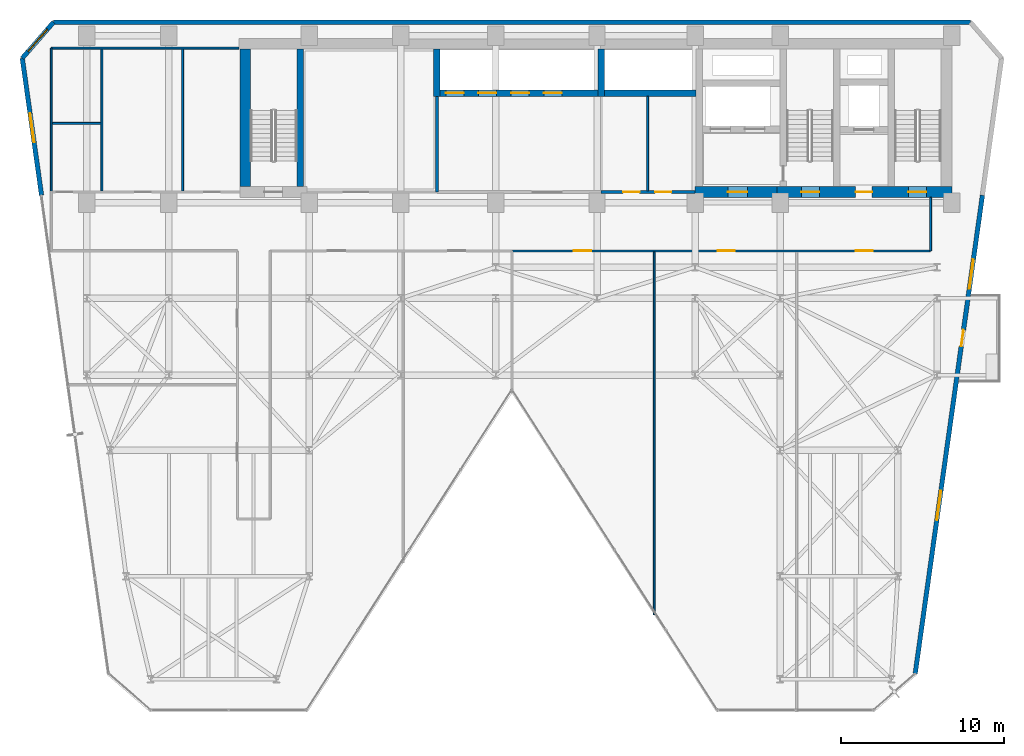
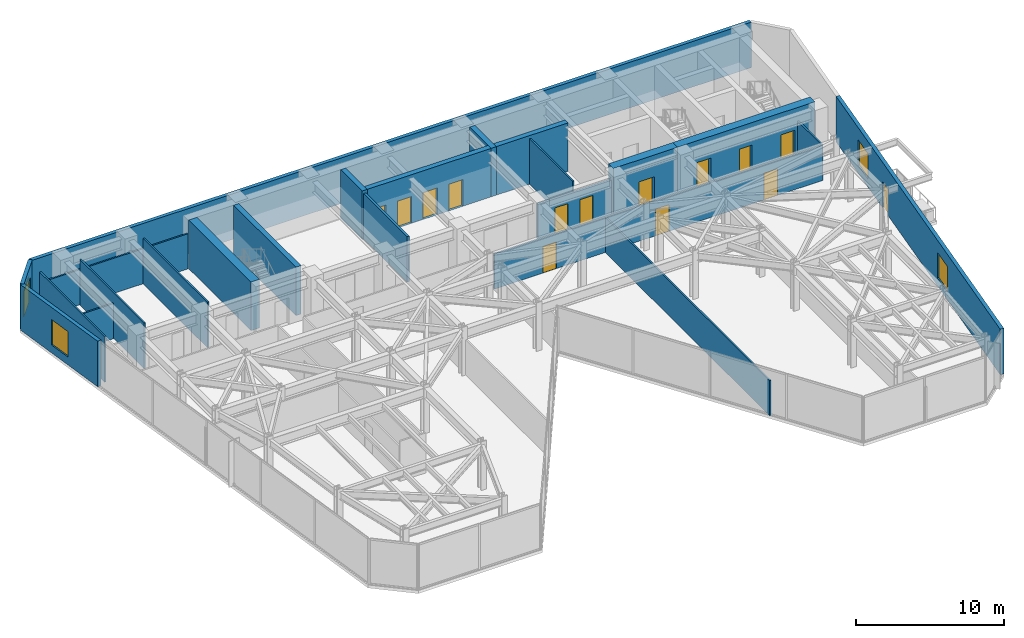
# One storey, part 22 of 26: 23 walls, 14 doors, 4 windows, 18 openings.
"""IFC4 building model written with IfcOpenShell, lengths in metres."""

from ifc_helpers import new_model, si_unit, direction, frame, frame_2d, origin, place, context, subcontext, project, spatial, rectangle, extrude, material, layer, layer_set, type_object, element, fill, save


model = new_model("IFC4")

# Units and contexts
model_context = context("Model", 3, precision=1e-05, world=origin(), true_north=direction((0.0, 1.0)))
body_context = subcontext(model_context, "Body", "Model", "MODEL_VIEW")
ifc_project = project(units=[si_unit("LENGTHUNIT", "METRE"), si_unit("AREAUNIT", "SQUARE_METRE"), si_unit("VOLUMEUNIT", "CUBIC_METRE"), si_unit("PLANEANGLEUNIT", "RADIAN"), si_unit("MASSUNIT", "GRAM", prefix="KILO")], contexts=[model_context])

# Site, building, storey
site_placement = place(None, origin())
site = spatial("IfcSite", under=ifc_project, at=site_placement, CompositionType="ELEMENT")
building_placement = place(site_placement, origin())
building = spatial("IfcBuilding", under=site, at=building_placement, Name="Kravanh Interchange Tower", CompositionType="ELEMENT")
storey_placement = place(building_placement, frame((0.0, 0.0, 116.0)))
storey = spatial("IfcBuildingStorey", under=building, at=storey_placement, Name="L27", CompositionType="ELEMENT", Elevation=116.0)

# Walls
ifc_material_1 = material(Name="Double Acoustic Gypsum Board and Mineral Wool")
ifc_layer_1 = layer(ifc_material_1, 0.1201171875)
ifc_layer_set_1 = layer_set([ifc_layer_1], Name="Acoustic Office Drywall Partition 120mm")
wall_type_1 = type_object("IfcWallType", Name="Acoustic Office Drywall Partition 120mm", PredefinedType="PARTITIONING", material=ifc_layer_set_1)
wall_1_placement = place(storey_placement, frame((47.89990234375, 38.068115234375, 0.0), z_axis=(0.0, 0.0, 1.0), x_axis=(0.0, 1.0, 0.0)))
element("IfcWall", 1, at=wall_1_placement, inside=storey, type_object=wall_type_1, Name="L27 Interior Partition 2", PredefinedType="PARTITIONING", context=body_context, shape_type="SweptSolid", body=[
    extrude(rectangle(XDim=5.77392578125, YDim=0.1201171875, at=frame_2d((2.886962890625, 0.0))), origin(), (0.0, 0.0, 1.0), 3.75),
])
wall_2_placement = place(storey_placement, frame((11.419921875, 38.0, 0.0), z_axis=(0.0, 0.0, 1.0), x_axis=(0.0, 1.0, 0.0)))
element("IfcWall", 2, at=wall_2_placement, inside=storey, type_object=wall_type_1, Name="L27 Restroom West Enclosure 7", PredefinedType="PARTITIONING", context=body_context, shape_type="SweptSolid", body=[
    extrude(rectangle(XDim=8.800048828125, YDim=0.1201171875, at=frame_2d((4.39990234375, 0.0))), origin(), (0.0, 0.0, 1.0), 3.75),
])
wall_3_placement = place(storey_placement, frame((11.419921875, 46.800048828125, 0.0), z_axis=(0.0, 0.0, 1.0), x_axis=(1.0, 0.0, 0.0)))
element("IfcWall", 3, at=wall_3_placement, inside=storey, type_object=wall_type_1, Name="L27 Restroom North Enclosure 8", PredefinedType="PARTITIONING", context=body_context, shape_type="SweptSolid", body=[
    extrude(rectangle(XDim=11.47998046875, YDim=0.1201171875, at=frame_2d((5.739990234375, 0.0))), origin(), (0.0, 0.0, 1.0), 2.89404296875),
])
for number, where, z_axis, x_axis, name in (
    (4, (14.52001953125, 38.068115234375, 0.0), (0.0, 0.0, 1.0), (0.0, 1.0, 0.0), "L27 Interior Partition 9"),
    (5, (19.449951171875, 38.068115234375, 0.0), (0.0, 0.0, 1.0), (0.0, 1.0, 0.0), "L27 Interior Partition 10"),
):
    element("IfcWall", number, at=place(storey_placement, frame(where, z_axis=z_axis, x_axis=x_axis)), inside=storey, type_object=wall_type_1, Name=name, PredefinedType="PARTITIONING", context=body_context, shape_type="SweptSolid", body=[
        extrude(rectangle(XDim=8.663818359375, YDim=0.1201171875, at=frame_2d((4.33203125, 0.0))), origin(), (0.0, 0.0, 1.0), 3.75),
    ])
wall_4_placement = place(storey_placement, frame((11.488037109375, 42.199951171875, 0.0), z_axis=(0.0, 0.0, 1.0), x_axis=(1.0, 0.0, 0.0)))
element("IfcWall", 6, at=wall_4_placement, inside=storey, type_object=wall_type_1, Name="L27 Interior Partition 11", PredefinedType="PARTITIONING", context=body_context, shape_type="SweptSolid", body=[
    extrude(rectangle(XDim=2.9638671875, YDim=0.1201171875, at=frame_2d((1.48193359375, 0.0))), origin(), (0.0, 0.0, 1.0), 2.89404296875),
])

# Wall, openings, doors
wall_5_placement = place(storey_placement, frame((39.60009765625, 34.39990234375, 0.0), z_axis=(0.0, 0.0, 1.0), x_axis=(1.0, 0.0, 0.0)))
wall_5 = element("IfcWall", 7, at=wall_5_placement, inside=storey, type_object=wall_type_1, Name="L27 Interior Partition 14", PredefinedType="PARTITIONING", context=body_context, shape_type="SweptSolid", body=[
    extrude(rectangle(XDim=25.599853515625, YDim=0.1201171875, at=frame_2d((12.7998046875, 0.0))), origin(), (0.0, 0.0, 1.0), 2.89404296875),
])
opening_1_placement = place(wall_5_placement, frame((3.784912109375, 0.0, 0.0)))
opening_1 = element("IfcOpeningElement", 8, at=opening_1_placement, cuts=wall_5, Name="Opening D-105", PredefinedType="OPENING", context=body_context, shape_type="SweptSolid", body=[
    extrude(rectangle(XDim=1.050048828125, YDim=2.199951171875, at=frame_2d((0.52490234375, 1.10009765625))), frame((0.0, 0.070068359375, 0.0), z_axis=(0.0, -1.0, 0.0), x_axis=(1.0, 0.0, 0.0)), (0.0, 0.0, 1.0), 0.14013671875),
])
opening_2_placement = place(wall_5_placement, frame((12.5703125, 0.0, 0.0)))
opening_2 = element("IfcOpeningElement", 9, at=opening_2_placement, cuts=wall_5, Name="Opening D-105", PredefinedType="OPENING", context=body_context, shape_type="SweptSolid", body=[
    extrude(rectangle(XDim=1.050048828125, YDim=2.199951171875, at=frame_2d((0.52490234375, 1.10009765625))), frame((0.0, 0.070068359375, 0.0), z_axis=(0.0, -1.0, 0.0), x_axis=(1.0, 0.0, 0.0)), (0.0, 0.0, 1.0), 0.14013671875),
])
opening_3_placement = place(wall_5_placement, frame((21.02001953125, 0.0, 0.0)))
opening_3 = element("IfcOpeningElement", 10, at=opening_3_placement, cuts=wall_5, Name="Opening D-105", PredefinedType="OPENING", context=body_context, shape_type="SweptSolid", body=[
    extrude(rectangle(XDim=1.050048828125, YDim=2.199951171875, at=frame_2d((0.52490234375, 1.10009765625))), frame((0.0, 0.070068359375, 0.0), z_axis=(0.0, -1.0, 0.0), x_axis=(1.0, 0.0, 0.0)), (0.0, 0.0, 1.0), 0.14013671875),
])
ifc_material_2 = material(Name="Acoustic Glazed Oak and Aluminium", Category="aluminium")
door_type_1 = type_object("IfcDoorType", Name="Office Workplace Door 1050x2200", OperationType="NOTDEFINED", PredefinedType="DOOR", material=ifc_material_2)
door_1_placement = place(opening_1_placement, origin())
door_1 = element("IfcDoor", 11, at=door_1_placement, inside=storey, type_object=door_type_1, Name="L27 Panorama Sky Lounge Door", OperationType="SINGLE_SWING_LEFT", OverallHeight=2.199951171875, OverallWidth=1.050048828125, PredefinedType="DOOR", context=body_context, shape_type="SweptSolid", body=[
    extrude(rectangle(XDim=1.050048828125, YDim=2.199951171875, at=frame_2d((0.52490234375, 1.10009765625))), frame((0.0, 0.02490234375, 0.0), z_axis=(0.0, -1.0, 0.0), x_axis=(1.0, 0.0, 0.0)), (0.0, 0.0, 1.0), 0.050048828125),
])
fill(opening_1, door_1)
door_2_placement = place(opening_2_placement, origin())
door_2 = element("IfcDoor", 12, at=door_2_placement, inside=storey, type_object=door_type_1, Name="L27 East Balcony Office Door", OperationType="SINGLE_SWING_RIGHT", OverallHeight=2.199951171875, OverallWidth=1.050048828125, PredefinedType="DOOR", context=body_context, shape_type="SweptSolid", body=[
    extrude(rectangle(XDim=1.050048828125, YDim=2.199951171875, at=frame_2d((0.52490234375, 1.10009765625))), frame((0.0, 0.02490234375, 0.0), z_axis=(0.0, -1.0, 0.0), x_axis=(1.0, 0.0, 0.0)), (0.0, 0.0, 1.0), 0.050048828125),
])
fill(opening_2, door_2)
door_3_placement = place(opening_3_placement, origin())
door_3 = element("IfcDoor", 13, at=door_3_placement, inside=storey, type_object=door_type_1, Name="L27 Hospitality Salon Lounge Door", OperationType="SINGLE_SWING_LEFT", OverallHeight=2.199951171875, OverallWidth=1.050048828125, PredefinedType="DOOR", context=body_context, shape_type="SweptSolid", body=[
    extrude(rectangle(XDim=1.050048828125, YDim=2.199951171875, at=frame_2d((0.52490234375, 1.10009765625))), frame((0.0, 0.02490234375, 0.0), z_axis=(0.0, -1.0, 0.0), x_axis=(1.0, 0.0, 0.0)), (0.0, 0.0, 1.0), 0.050048828125),
])
fill(opening_3, door_3)

# Walls
wall_6_placement = place(storey_placement, frame((65.199951171875, 34.39990234375, 0.0), z_axis=(0.0, 0.0, 1.0), x_axis=(0.0, 1.0, 0.0)))
element("IfcWall", 14, at=wall_6_placement, inside=storey, type_object=wall_type_1, Name="L27 Interior Partition 16", PredefinedType="PARTITIONING", context=body_context, shape_type="SweptSolid", body=[
    extrude(rectangle(XDim=3.26708984375, YDim=0.1201171875, at=frame_2d((1.633544921875, 0.0))), origin(), (0.0, 0.0, 1.0), 2.89404296875),
])
wall_7_placement = place(storey_placement, frame((48.300048828125, 12.15576171875, 0.0), z_axis=(0.0, 0.0, 1.0), x_axis=(0.0, 1.0, 0.0)))
element("IfcWall", 15, at=wall_7_placement, inside=storey, type_object=wall_type_1, Name="L27 Interior Partition 23", PredefinedType="PARTITIONING", context=body_context, shape_type="SweptSolid", body=[
    extrude(rectangle(XDim=22.17626953125, YDim=0.1201171875, at=frame_2d((11.088134765625, 0.0))), origin(), (0.0, 0.0, 1.0), 2.89404296875),
])

# Wall, openings, doors
ifc_material_3 = material(Name="Concrete C70/85", Category="concrete")
ifc_layer_2 = layer(ifc_material_3, 0.64990234375)
ifc_layer_set_2 = layer_set([ifc_layer_2], Name="Core Shear Wall Concrete C70/85 650mm")
wall_type_2 = type_object("IfcWallType", Name="Core Shear Wall Concrete C70/85 650mm", PredefinedType="SHEAR", material=ifc_layer_set_2)
wall_8_placement = place(storey_placement, frame((55.800048828125, 38.0, 0.0), z_axis=(0.0, 0.0, 1.0), x_axis=(1.0, 0.0, 0.0)))
wall_8 = element("IfcWall", 16, at=wall_8_placement, inside=storey, type_object=wall_type_2, Name="L27 East Core South Shear Wall", PredefinedType="SHEAR", context=body_context, shape_type="SweptSolid", body=[
    extrude(rectangle(XDim=10.699951171875, YDim=0.64990234375, at=frame_2d((5.35009765625, 0.0))), origin(), (0.0, 0.0, 1.0), 4.0),
])
opening_4_placement = place(wall_8_placement, frame((1.5, 0.0, 0.0)))
opening_4 = element("IfcOpeningElement", 17, at=opening_4_placement, cuts=wall_8, Name="Opening D-STAIR-110", PredefinedType="OPENING", context=body_context, shape_type="SweptSolid", body=[
    extrude(rectangle(XDim=1.10009765625, YDim=2.199951171875, at=frame_2d((0.550048828125, 1.10009765625))), frame((0.0, 0.3349609375, 0.0), z_axis=(0.0, -1.0, 0.0), x_axis=(1.0, 0.0, 0.0)), (0.0, 0.0, 1.0), 0.669921875),
])
opening_5_placement = place(wall_8_placement, frame((4.820068359375, 0.0, 0.0)))
opening_5 = element("IfcOpeningElement", 18, at=opening_5_placement, cuts=wall_8, Name="Opening D-HOTEL-100", PredefinedType="OPENING", context=body_context, shape_type="SweptSolid", body=[
    extrude(rectangle(XDim=1.0, YDim=2.14990234375, at=frame_2d((0.5, 1.074951171875))), frame((0.0, 0.3349609375, 0.0), z_axis=(0.0, -1.0, 0.0), x_axis=(1.0, 0.0, 0.0)), (0.0, 0.0, 1.0), 0.669921875),
])
opening_6_placement = place(wall_8_placement, frame((8.050048828125, 0.0, 0.0)))
opening_6 = element("IfcOpeningElement", 19, at=opening_6_placement, cuts=wall_8, Name="Opening D-STAIR-110", PredefinedType="OPENING", context=body_context, shape_type="SweptSolid", body=[
    extrude(rectangle(XDim=1.10009765625, YDim=2.199951171875, at=frame_2d((0.550048828125, 1.10009765625))), frame((0.0, 0.3349609375, 0.0), z_axis=(0.0, -1.0, 0.0), x_axis=(1.0, 0.0, 0.0)), (0.0, 0.0, 1.0), 0.669921875),
])
ifc_material_4 = material(Name="Structural Steel S355", Category="steel")
door_type_2 = type_object("IfcDoorType", Name="Fire-Rated Exit Stair Door 1100x2200", OperationType="NOTDEFINED", PredefinedType="DOOR", material=ifc_material_4)
door_4_placement = place(opening_4_placement, origin())
door_4 = element("IfcDoor", 20, at=door_4_placement, inside=storey, type_object=door_type_2, Name="L27 Exit Stair ST2 Door", OperationType="SINGLE_SWING_RIGHT", OverallHeight=2.199951171875, OverallWidth=1.10009765625, PredefinedType="DOOR", context=body_context, shape_type="SweptSolid", body=[
    extrude(rectangle(XDim=1.10009765625, YDim=2.199951171875, at=frame_2d((0.550048828125, 1.10009765625))), frame((0.0, 0.02490234375, 0.0), z_axis=(0.0, -1.0, 0.0), x_axis=(1.0, 0.0, 0.0)), (0.0, 0.0, 1.0), 0.050048828125),
])
fill(opening_4, door_4)
door_5_placement = place(opening_6_placement, origin())
door_5 = element("IfcDoor", 21, at=door_5_placement, inside=storey, type_object=door_type_2, Name="L27 Exit Stair ST1 Door", OperationType="SINGLE_SWING_RIGHT", OverallHeight=2.199951171875, OverallWidth=1.10009765625, PredefinedType="DOOR", context=body_context, shape_type="SweptSolid", body=[
    extrude(rectangle(XDim=1.10009765625, YDim=2.199951171875, at=frame_2d((0.550048828125, 1.10009765625))), frame((0.0, 0.02490234375, 0.0), z_axis=(0.0, -1.0, 0.0), x_axis=(1.0, 0.0, 0.0)), (0.0, 0.0, 1.0), 0.050048828125),
])
fill(opening_6, door_5)
ifc_material_5 = material(Name="Fire-Rated Solid Timber Leaf", Category="wood")
door_type_3 = type_object("IfcDoorType", Name="Fire-Rated Suite Entrance Door 1000x2150", OperationType="NOTDEFINED", PredefinedType="DOOR", material=ifc_material_5)
door_6_placement = place(opening_5_placement, origin())
door_6 = element("IfcDoor", 22, at=door_6_placement, inside=storey, type_object=door_type_3, Name="L27 Service Lift Lobby Door", OperationType="SINGLE_SWING_RIGHT", OverallHeight=2.14990234375, OverallWidth=1.0, PredefinedType="DOOR", context=body_context, shape_type="SweptSolid", body=[
    extrude(rectangle(XDim=1.0, YDim=2.14990234375, at=frame_2d((0.5, 1.074951171875))), frame((0.0, 0.02490234375, 0.0), z_axis=(0.0, -1.0, 0.0), x_axis=(1.0, 0.0, 0.0)), (0.0, 0.0, 1.0), 0.050048828125),
])
fill(opening_5, door_6)

# Wall, opening, door
wall_9_placement = place(storey_placement, frame((50.800048828125, 38.0, 0.0), z_axis=(0.0, 0.0, 1.0), x_axis=(1.0, 0.0, 0.0)))
wall_9 = element("IfcWall", 23, at=wall_9_placement, inside=storey, type_object=wall_type_2, Name="L27 Firefighting Lobby South Shear Wall", PredefinedType="SHEAR", context=body_context, shape_type="SweptSolid", body=[
    extrude(rectangle(XDim=5.0, YDim=0.64990234375, at=frame_2d((2.5, 0.0))), origin(), (0.0, 0.0, 1.0), 4.0),
])
opening_7_placement = place(wall_9_placement, frame((2.0, 0.0, 0.0)))
opening_7 = element("IfcOpeningElement", 24, at=opening_7_placement, cuts=wall_9, Name="Opening D-FSAE-120", PredefinedType="OPENING", context=body_context, shape_type="SweptSolid", body=[
    extrude(rectangle(XDim=1.199951171875, YDim=2.199951171875, at=frame_2d((0.60009765625, 1.10009765625))), frame((0.0, 0.3349609375, 0.0), z_axis=(0.0, -1.0, 0.0), x_axis=(1.0, 0.0, 0.0)), (0.0, 0.0, 1.0), 0.669921875),
])
ifc_material_6 = material(Name="Structural Steel S355", Category="steel")
door_type_4 = type_object("IfcDoorType", Name="Fire-Rated Refuge and FSAE Door 1200x2200", OperationType="NOTDEFINED", PredefinedType="DOOR", material=ifc_material_6)
door_7_placement = place(opening_7_placement, origin())
door_7 = element("IfcDoor", 25, at=door_7_placement, inside=storey, type_object=door_type_4, Name="L27 Firefighting Lobby Corridor Door", OperationType="SINGLE_SWING_RIGHT", OverallHeight=2.199951171875, OverallWidth=1.199951171875, PredefinedType="DOOR", context=body_context, shape_type="SweptSolid", body=[
    extrude(rectangle(XDim=1.199951171875, YDim=2.199951171875, at=frame_2d((0.60009765625, 1.10009765625))), frame((0.0, 0.02490234375, 0.0), z_axis=(0.0, -1.0, 0.0), x_axis=(1.0, 0.0, 0.0)), (0.0, 0.0, 1.0), 0.050048828125),
])
fill(opening_7, door_7)

# Walls
wall_10_placement = place(storey_placement, frame((23.27490234375, 38.324951171875, 0.0), z_axis=(0.0, 0.0, 1.0), x_axis=(0.0, 1.0, 0.0)))
element("IfcWall", 26, at=wall_10_placement, inside=storey, type_object=wall_type_2, Name="L27 Stair ST3 West Shear Wall", PredefinedType="SHEAR", context=body_context, shape_type="SweptSolid", body=[
    extrude(rectangle(XDim=8.425048828125, YDim=0.64990234375, at=frame_2d((4.21240234375, 0.0))), origin(), (0.0, 0.0, 1.0), 4.0),
])
ifc_material_7 = material(Name="Concrete C80/95", Category="concrete")
ifc_layer_3 = layer(ifc_material_7, 0.39990234375)
ifc_layer_set_3 = layer_set([ifc_layer_3], Name="Core Shear Wall Concrete C80/95 400mm")
wall_type_3 = type_object("IfcWallType", Name="Core Shear Wall Concrete C80/95 400mm", PredefinedType="SHEAR", material=ifc_layer_set_3)
wall_11_placement = place(storey_placement, frame((45.25, 44.050048828125, 0.0), z_axis=(0.0, 0.0, 1.0), x_axis=(1.0, 0.0, 0.0)))
element("IfcWall", 27, at=wall_11_placement, inside=storey, type_object=wall_type_3, Name="L27 High-Rise Lift Shaft South Wall", PredefinedType="SHEAR", context=body_context, shape_type="SweptSolid", body=[
    extrude(rectangle(XDim=5.60009765625, YDim=0.39990234375, at=frame_2d((2.800048828125, 0.0))), origin(), (0.0, 0.0, 1.0), 4.0),
])
wall_12_placement = place(storey_placement, frame((45.050048828125, 43.85009765625, 0.0), z_axis=(0.0, 0.0, 1.0), x_axis=(0.0, 1.0, 0.0)))
element("IfcWall", 28, at=wall_12_placement, inside=storey, type_object=wall_type_3, Name="L27 High-Rise Lift Shaft West Wall", PredefinedType="SHEAR", context=body_context, shape_type="SweptSolid", body=[
    extrude(rectangle(XDim=2.89990234375, YDim=0.39990234375, at=frame_2d((1.449951171875, 0.0))), origin(), (0.0, 0.0, 1.0), 4.0),
])

# Wall, openings, doors
wall_13_placement = place(storey_placement, frame((35.199951171875, 44.050048828125, 0.0), z_axis=(0.0, 0.0, 1.0), x_axis=(1.0, 0.0, 0.0)))
wall_13 = element("IfcWall", 29, at=wall_13_placement, inside=storey, type_object=wall_type_3, Name="L27 Mid-Rise Lift Shaft South Wall", PredefinedType="SHEAR", context=body_context, shape_type="SweptSolid", body=[
    extrude(rectangle(XDim=9.650146484375, YDim=0.39990234375, at=frame_2d((4.8251953125, 0.0))), origin(), (0.0, 0.0, 1.0), 4.0),
])
opening_8_placement = place(wall_13_placement, frame((0.35009765625, 0.0, 0.0)))
opening_8 = element("IfcOpeningElement", 30, at=opening_8_placement, cuts=wall_13, Name="Opening LD01", PredefinedType="OPENING", context=body_context, shape_type="SweptSolid", body=[
    extrude(rectangle(XDim=1.10009765625, YDim=2.199951171875, at=frame_2d((0.550048828125, 1.10009765625))), frame((0.0, 0.2099609375, 0.0), z_axis=(0.0, -1.0, 0.0), x_axis=(1.0, 0.0, 0.0)), (0.0, 0.0, 1.0), 0.419921875),
])
opening_9_placement = place(wall_13_placement, frame((2.35009765625, 0.0, 0.0)))
opening_9 = element("IfcOpeningElement", 31, at=opening_9_placement, cuts=wall_13, Name="Opening LD01", PredefinedType="OPENING", context=body_context, shape_type="SweptSolid", body=[
    extrude(rectangle(XDim=1.10009765625, YDim=2.199951171875, at=frame_2d((0.550048828125, 1.10009765625))), frame((0.0, 0.2099609375, 0.0), z_axis=(0.0, -1.0, 0.0), x_axis=(1.0, 0.0, 0.0)), (0.0, 0.0, 1.0), 0.419921875),
])
opening_10_placement = place(wall_13_placement, frame((4.35009765625, 0.0, 0.0)))
opening_10 = element("IfcOpeningElement", 32, at=opening_10_placement, cuts=wall_13, Name="Opening LD01", PredefinedType="OPENING", context=body_context, shape_type="SweptSolid", body=[
    extrude(rectangle(XDim=1.10009765625, YDim=2.199951171875, at=frame_2d((0.550048828125, 1.10009765625))), frame((0.0, 0.2099609375, 0.0), z_axis=(0.0, -1.0, 0.0), x_axis=(1.0, 0.0, 0.0)), (0.0, 0.0, 1.0), 0.419921875),
])
opening_11_placement = place(wall_13_placement, frame((6.35009765625, 0.0, 0.0)))
opening_11 = element("IfcOpeningElement", 33, at=opening_11_placement, cuts=wall_13, Name="Opening LD01", PredefinedType="OPENING", context=body_context, shape_type="SweptSolid", body=[
    extrude(rectangle(XDim=1.10009765625, YDim=2.199951171875, at=frame_2d((0.550048828125, 1.10009765625))), frame((0.0, 0.2099609375, 0.0), z_axis=(0.0, -1.0, 0.0), x_axis=(1.0, 0.0, 0.0)), (0.0, 0.0, 1.0), 0.419921875),
])
ifc_material_8 = material(Name="Stainless Steel 304", Category="steel")
door_type_5 = type_object("IfcDoorType", Name="Passenger Lift Sliding Landing Door 1100x2200", OperationType="DOUBLE_DOOR_SLIDING", PredefinedType="DOOR", material=ifc_material_8)
door_8_placement = place(opening_8_placement, origin())
door_8 = element("IfcDoor", 34, at=door_8_placement, inside=storey, type_object=door_type_5, Name="L27 Lift LP-M1 Landing Door", OperationType="DOUBLE_DOOR_SLIDING", OverallHeight=2.199951171875, OverallWidth=1.10009765625, PredefinedType="DOOR", context=body_context, shape_type="SweptSolid", body=[
    extrude(rectangle(XDim=1.10009765625, YDim=2.199951171875, at=frame_2d((0.550048828125, 1.10009765625))), frame((0.0, 0.02490234375, 0.0), z_axis=(0.0, -1.0, 0.0), x_axis=(1.0, 0.0, 0.0)), (0.0, 0.0, 1.0), 0.050048828125),
])
fill(opening_8, door_8)
door_9_placement = place(opening_9_placement, origin())
door_9 = element("IfcDoor", 35, at=door_9_placement, inside=storey, type_object=door_type_5, Name="L27 Lift LP-M2 Landing Door", OperationType="DOUBLE_DOOR_SLIDING", OverallHeight=2.199951171875, OverallWidth=1.10009765625, PredefinedType="DOOR", context=body_context, shape_type="SweptSolid", body=[
    extrude(rectangle(XDim=1.10009765625, YDim=2.199951171875, at=frame_2d((0.550048828125, 1.10009765625))), frame((0.0, 0.02490234375, 0.0), z_axis=(0.0, -1.0, 0.0), x_axis=(1.0, 0.0, 0.0)), (0.0, 0.0, 1.0), 0.050048828125),
])
fill(opening_9, door_9)
door_10_placement = place(opening_10_placement, origin())
door_10 = element("IfcDoor", 36, at=door_10_placement, inside=storey, type_object=door_type_5, Name="L27 Lift LP-M3 Landing Door", OperationType="DOUBLE_DOOR_SLIDING", OverallHeight=2.199951171875, OverallWidth=1.10009765625, PredefinedType="DOOR", context=body_context, shape_type="SweptSolid", body=[
    extrude(rectangle(XDim=1.10009765625, YDim=2.199951171875, at=frame_2d((0.550048828125, 1.10009765625))), frame((0.0, 0.02490234375, 0.0), z_axis=(0.0, -1.0, 0.0), x_axis=(1.0, 0.0, 0.0)), (0.0, 0.0, 1.0), 0.050048828125),
])
fill(opening_10, door_10)
door_11_placement = place(opening_11_placement, origin())
door_11 = element("IfcDoor", 37, at=door_11_placement, inside=storey, type_object=door_type_5, Name="L27 Lift LP-M4 Landing Door", OperationType="DOUBLE_DOOR_SLIDING", OverallHeight=2.199951171875, OverallWidth=1.10009765625, PredefinedType="DOOR", context=body_context, shape_type="SweptSolid", body=[
    extrude(rectangle(XDim=1.10009765625, YDim=2.199951171875, at=frame_2d((0.550048828125, 1.10009765625))), frame((0.0, 0.02490234375, 0.0), z_axis=(0.0, -1.0, 0.0), x_axis=(1.0, 0.0, 0.0)), (0.0, 0.0, 1.0), 0.050048828125),
])
fill(opening_11, door_11)

# Walls
wall_14_placement = place(storey_placement, frame((35.0, 43.85009765625, 0.0), z_axis=(0.0, 0.0, 1.0), x_axis=(0.0, 1.0, 0.0)))
element("IfcWall", 38, at=wall_14_placement, inside=storey, type_object=wall_type_3, Name="L27 Mid-Rise Lift Shaft West Wall", PredefinedType="SHEAR", context=body_context, shape_type="SweptSolid", body=[
    extrude(rectangle(XDim=2.89990234375, YDim=0.39990234375, at=frame_2d((1.449951171875, 0.0))), origin(), (0.0, 0.0, 1.0), 4.0),
])
wall_15_placement = place(storey_placement, frame((26.64990234375, 38.324951171875, 0.0), z_axis=(0.0, 0.0, 1.0), x_axis=(0.0, 1.0, 0.0)))
element("IfcWall", 39, at=wall_15_placement, inside=storey, type_object=wall_type_3, Name="L27 Stair ST3 East Shear Wall", PredefinedType="SHEAR", context=body_context, shape_type="SweptSolid", body=[
    extrude(rectangle(XDim=8.425048828125, YDim=0.39990234375, at=frame_2d((4.21240234375, 0.0))), origin(), (0.0, 0.0, 1.0), 4.0),
])

# Wall, opening, window
ifc_material_9 = material(Name="Insulated Precast Concrete C40/50 with Bronze Cladding", Category="concrete")
ifc_layer_4 = layer(ifc_material_9, 0.280029296875)
ifc_layer_set_4 = layer_set([ifc_layer_4], Name="Exterior Insulated Concrete C40/50 Bronze Spandrel Wall 280mm")
wall_type_4 = type_object("IfcWallType", Name="Exterior Insulated Concrete C40/50 Bronze Spandrel Wall 280mm", PredefinedType="STANDARD", material=ifc_layer_set_4)
wall_16_placement = place(storey_placement, frame((10.824951171875, 37.800048828125, 0.0), z_axis=(0.0, 0.0, 1.0), x_axis=(-0.139180610108, 0.990267013371, 0.0)))
wall_16 = element("IfcWall", 40, at=wall_16_placement, inside=storey, type_object=wall_type_4, Name="L27 Exterior Wall 1", PredefinedType="STANDARD", context=body_context, shape_type="SweptSolid", body=[
    extrude(rectangle(XDim=8.46728515625, YDim=0.280029296875, at=frame_2d((4.233642578125, 0.0))), origin(), (0.0, 0.0, 1.0), 3.75),
])
opening_12_placement = place(wall_16_placement, frame((3.273193359375, 0.0, 0.64990234375)))
opening_12 = element("IfcOpeningElement", 41, at=opening_12_placement, cuts=wall_16, Name="Opening WN-180X210", PredefinedType="OPENING", context=body_context, shape_type="SweptSolid", body=[
    extrude(rectangle(XDim=1.800048828125, YDim=2.10009765625, at=frame_2d((0.89990234375, 1.050048828125))), frame((0.0, 0.14990234375, 0.0), z_axis=(0.0, -1.0, 0.0), x_axis=(1.0, 0.0, 0.0)), (0.0, 0.0, 1.0), 0.300048828125),
])
ifc_material_10 = material(Name="Thermally Broken Bronze Aluminium and Low-E Glass", Category="aluminium")
window_type = type_object("IfcWindowType", Name="Tower Pier Window 1800x2100", PartitioningType="SINGLE_PANEL", PredefinedType="WINDOW", material=ifc_material_10)
window_1_placement = place(opening_12_placement, origin())
window_1 = element("IfcWindow", 42, at=window_1_placement, inside=storey, type_object=window_type, Name="L27 Corner Window 1", OverallHeight=2.10009765625, OverallWidth=1.800048828125, PartitioningType="SINGLE_PANEL", PredefinedType="WINDOW", context=body_context, shape_type="SweptSolid", body=[
    extrude(rectangle(XDim=1.800048828125, YDim=2.10009765625, at=frame_2d((0.89990234375, 1.050048828125))), frame((0.0, 0.030029296875, 0.0), z_axis=(0.0, -1.0, 0.0), x_axis=(1.0, 0.0, 0.0)), (0.0, 0.0, 1.0), 0.06005859375),
])
fill(opening_12, window_1)

wall_17_placement = place(storey_placement, frame((9.646484375, 46.184814453125, 0.0), z_axis=(0.0, 0.0, 1.0), x_axis=(0.656070644076, 0.754699483226, 0.0)))
wall_17 = element("IfcWall", 43, at=wall_17_placement, inside=storey, type_object=wall_type_4, Name="L27 Exterior Wall 2", PredefinedType="STANDARD", context=body_context, shape_type="SweptSolid", body=[
    extrude(rectangle(XDim=2.908447265625, YDim=0.280029296875, at=frame_2d((1.4541015625, 0.0))), origin(), (0.0, 0.0, 1.0), 3.75),
])
opening_13_placement = place(wall_17_placement, frame((0.541015625, 0.0, 0.64990234375)))
opening_13 = element("IfcOpeningElement", 44, at=opening_13_placement, cuts=wall_17, Name="Opening WN-180X210", PredefinedType="OPENING", context=body_context, shape_type="SweptSolid", body=[
    extrude(rectangle(XDim=1.800048828125, YDim=2.10009765625, at=frame_2d((0.89990234375, 1.050048828125))), frame((0.0, 0.14990234375, 0.0), z_axis=(0.0, -1.0, 0.0), x_axis=(1.0, 0.0, 0.0)), (0.0, 0.0, 1.0), 0.300048828125),
])
window_2_placement = place(opening_13_placement, origin())
window_2 = element("IfcWindow", 45, at=window_2_placement, inside=storey, type_object=window_type, Name="L27 Corner Window 2", OverallHeight=2.10009765625, OverallWidth=1.800048828125, PartitioningType="SINGLE_PANEL", PredefinedType="WINDOW", context=body_context, shape_type="SweptSolid", body=[
    extrude(rectangle(XDim=1.800048828125, YDim=2.10009765625, at=frame_2d((0.89990234375, 1.050048828125))), frame((0.0, 0.030029296875, 0.0), z_axis=(0.0, -1.0, 0.0), x_axis=(1.0, 0.0, 0.0)), (0.0, 0.0, 1.0), 0.06005859375),
])
fill(opening_13, window_2)

# Wall
wall_18_placement = place(storey_placement, frame((11.5546875, 48.3798828125, 0.0), z_axis=(0.0, 0.0, 1.0), x_axis=(1.0, 0.0, 0.0)))
element("IfcWall", 46, at=wall_18_placement, inside=storey, type_object=wall_type_4, Name="L27 Exterior Wall 3", PredefinedType="STANDARD", context=body_context, shape_type="SweptSolid", body=[
    extrude(rectangle(XDim=56.090576171875, YDim=0.280029296875, at=frame_2d((28.04541015625, 0.0))), origin(), (0.0, 0.0, 1.0), 3.75),
])

# Wall, openings, door, windows
wall_19_placement = place(storey_placement, frame((68.375, 37.800048828125, 0.0), z_axis=(0.0, 0.0, 1.0), x_axis=(-0.13917001236, -0.990268502811, 0.0)))
wall_19 = element("IfcWall", 47, at=wall_19_placement, inside=storey, type_object=wall_type_4, Name="L27 Exterior Wall 6", PredefinedType="STANDARD", context=body_context, shape_type="SweptSolid", body=[
    extrude(rectangle(XDim=29.548828125, YDim=0.280029296875, at=frame_2d((14.7744140625, 0.0))), origin(), (0.0, 0.0, 1.0), 3.75),
])
opening_14_placement = place(wall_19_placement, frame((8.319091796875, 0.0, 0.0)))
opening_14 = element("IfcOpeningElement", 48, at=opening_14_placement, cuts=wall_19, Name="Opening ED-BAL100", PredefinedType="OPENING", context=body_context, shape_type="SweptSolid", body=[
    extrude(rectangle(XDim=1.0, YDim=2.14990234375, at=frame_2d((0.5, 1.074951171875))), frame((0.0, 0.14990234375, 0.0), z_axis=(0.0, -1.0, 0.0), x_axis=(1.0, 0.0, 0.0)), (0.0, 0.0, 1.0), 0.300048828125),
])
opening_15_placement = place(wall_19_placement, frame((3.97119140625, 0.0, 0.64990234375)))
opening_15 = element("IfcOpeningElement", 49, at=opening_15_placement, cuts=wall_19, Name="Opening WN-180X210", PredefinedType="OPENING", context=body_context, shape_type="SweptSolid", body=[
    extrude(rectangle(XDim=1.800048828125, YDim=2.10009765625, at=frame_2d((0.89990234375, 1.050048828125))), frame((0.0, 0.14990234375, 0.0), z_axis=(0.0, -1.0, 0.0), x_axis=(1.0, 0.0, 0.0)), (0.0, 0.0, 1.0), 0.300048828125),
])
opening_16_placement = place(wall_19_placement, frame((18.255859375, 0.0, 0.64990234375)))
opening_16 = element("IfcOpeningElement", 50, at=opening_16_placement, cuts=wall_19, Name="Opening WN-180X210", PredefinedType="OPENING", context=body_context, shape_type="SweptSolid", body=[
    extrude(rectangle(XDim=1.800048828125, YDim=2.10009765625, at=frame_2d((0.89990234375, 1.050048828125))), frame((0.0, 0.14990234375, 0.0), z_axis=(0.0, -1.0, 0.0), x_axis=(1.0, 0.0, 0.0)), (0.0, 0.0, 1.0), 0.300048828125),
])
ifc_material_11 = material(Name="Thermally Broken Bronze Aluminium and Laminated Glass", Category="aluminium")
door_type_6 = type_object("IfcDoorType", Name="Balcony Glazed Door 1000x2150", OperationType="NOTDEFINED", PredefinedType="DOOR", material=ifc_material_11)
door_12_placement = place(opening_14_placement, origin())
door_12 = element("IfcDoor", 51, at=door_12_placement, inside=storey, type_object=door_type_6, Name="L27 E Tree Balcony Access Door", OperationType="SINGLE_SWING_RIGHT", OverallHeight=2.14990234375, OverallWidth=1.0, PredefinedType="DOOR", context=body_context, shape_type="SweptSolid", body=[
    extrude(rectangle(XDim=1.0, YDim=2.14990234375, at=frame_2d((0.5, 1.074951171875))), frame((0.0, 0.02490234375, 0.0), z_axis=(0.0, -1.0, 0.0), x_axis=(1.0, 0.0, 0.0)), (0.0, 0.0, 1.0), 0.050048828125),
])
fill(opening_14, door_12)
window_3_placement = place(opening_15_placement, origin())
window_3 = element("IfcWindow", 52, at=window_3_placement, inside=storey, type_object=window_type, Name="L27 Facade Window 6A", OverallHeight=2.10009765625, OverallWidth=1.800048828125, PartitioningType="SINGLE_PANEL", PredefinedType="WINDOW", context=body_context, shape_type="SweptSolid", body=[
    extrude(rectangle(XDim=1.800048828125, YDim=2.10009765625, at=frame_2d((0.89990234375, 1.050048828125))), frame((0.0, 0.030029296875, 0.0), z_axis=(0.0, -1.0, 0.0), x_axis=(1.0, 0.0, 0.0)), (0.0, 0.0, 1.0), 0.06005859375),
])
fill(opening_15, window_3)
window_4_placement = place(opening_16_placement, origin())
window_4 = element("IfcWindow", 53, at=window_4_placement, inside=storey, type_object=window_type, Name="L27 Facade Window 6B", OverallHeight=2.10009765625, OverallWidth=1.800048828125, PartitioningType="SINGLE_PANEL", PredefinedType="WINDOW", context=body_context, shape_type="SweptSolid", body=[
    extrude(rectangle(XDim=1.800048828125, YDim=2.10009765625, at=frame_2d((0.89990234375, 1.050048828125))), frame((0.0, 0.030029296875, 0.0), z_axis=(0.0, -1.0, 0.0), x_axis=(1.0, 0.0, 0.0)), (0.0, 0.0, 1.0), 0.06005859375),
])
fill(opening_16, window_4)

# Wall, openings, doors
ifc_material_12 = material(Name="Autoclaved Aerated Concrete C30/37 Blockwork", Category="masonry")
ifc_layer_5 = layer(ifc_material_12, 0.179931640625)
ifc_layer_set_5 = layer_set([ifc_layer_5], Name="Fire-Rated Lobby and Corridor Wall Concrete C30/37 180mm")
wall_type_5 = type_object("IfcWallType", Name="Fire-Rated Lobby and Corridor Wall Concrete C30/37 180mm", PredefinedType="STANDARD", material=ifc_layer_set_5)
wall_20_placement = place(storey_placement, frame((45.050048828125, 38.0, 0.0), z_axis=(0.0, 0.0, 1.0), x_axis=(1.0, 0.0, 0.0)))
wall_20 = element("IfcWall", 54, at=wall_20_placement, inside=storey, type_object=wall_type_5, Name="L27 Core South Enclosure 1", PredefinedType="STANDARD", context=body_context, shape_type="SweptSolid", body=[
    extrude(rectangle(XDim=5.75, YDim=0.179931640625, at=frame_2d((2.875, 0.0))), origin(), (0.0, 0.0, 1.0), 2.89404296875),
])
opening_17_placement = place(wall_20_placement, frame((1.35009765625, 0.0, 0.0)))
opening_17 = element("IfcOpeningElement", 55, at=opening_17_placement, cuts=wall_20, Name="Opening D-HOTEL-100", PredefinedType="OPENING", context=body_context, shape_type="SweptSolid", body=[
    extrude(rectangle(XDim=1.0, YDim=2.14990234375, at=frame_2d((0.5, 1.074951171875))), frame((0.0, 0.10009765625, 0.0), z_axis=(0.0, -1.0, 0.0), x_axis=(1.0, 0.0, 0.0)), (0.0, 0.0, 1.0), 0.199951171875),
])
opening_18_placement = place(wall_20_placement, frame((3.300048828125, 0.0, 0.0)))
opening_18 = element("IfcOpeningElement", 56, at=opening_18_placement, cuts=wall_20, Name="Opening D-HOTEL-100", PredefinedType="OPENING", context=body_context, shape_type="SweptSolid", body=[
    extrude(rectangle(XDim=1.0, YDim=2.14990234375, at=frame_2d((0.5, 1.074951171875))), frame((0.0, 0.10009765625, 0.0), z_axis=(0.0, -1.0, 0.0), x_axis=(1.0, 0.0, 0.0)), (0.0, 0.0, 1.0), 0.199951171875),
])
door_13_placement = place(opening_17_placement, origin())
door_13 = element("IfcDoor", 57, at=door_13_placement, inside=storey, type_object=door_type_3, Name="L27 Core Switchroom Door", OperationType="SINGLE_SWING_RIGHT", OverallHeight=2.14990234375, OverallWidth=1.0, PredefinedType="DOOR", context=body_context, shape_type="SweptSolid", body=[
    extrude(rectangle(XDim=1.0, YDim=2.14990234375, at=frame_2d((0.5, 1.074951171875))), frame((0.0, 0.02490234375, 0.0), z_axis=(0.0, -1.0, 0.0), x_axis=(1.0, 0.0, 0.0)), (0.0, 0.0, 1.0), 0.050048828125),
])
fill(opening_17, door_13)
door_14_placement = place(opening_18_placement, origin())
door_14 = element("IfcDoor", 58, at=door_14_placement, inside=storey, type_object=door_type_3, Name="L27 Core Archive Door", OperationType="SINGLE_SWING_LEFT", OverallHeight=2.14990234375, OverallWidth=1.0, PredefinedType="DOOR", context=body_context, shape_type="SweptSolid", body=[
    extrude(rectangle(XDim=1.0, YDim=2.14990234375, at=frame_2d((0.5, 1.074951171875))), frame((0.0, 0.02490234375, 0.0), z_axis=(0.0, -1.0, 0.0), x_axis=(1.0, 0.0, 0.0)), (0.0, 0.0, 1.0), 0.050048828125),
])
fill(opening_18, door_14)

# Wall
wall_21_placement = place(storey_placement, frame((35.0, 38.0, 0.0), z_axis=(0.0, 0.0, 1.0), x_axis=(0.0, 1.0, 0.0)))
element("IfcWall", 59, at=wall_21_placement, inside=storey, type_object=wall_type_5, Name="L27 Interior Partition 4", PredefinedType="STANDARD", context=body_context, shape_type="SweptSolid", body=[
    extrude(rectangle(XDim=5.85009765625, YDim=0.179931640625, at=frame_2d((2.925048828125, 0.0))), origin(), (0.0, 0.0, 1.0), 3.75),
])

save(model, "model.ifc")
